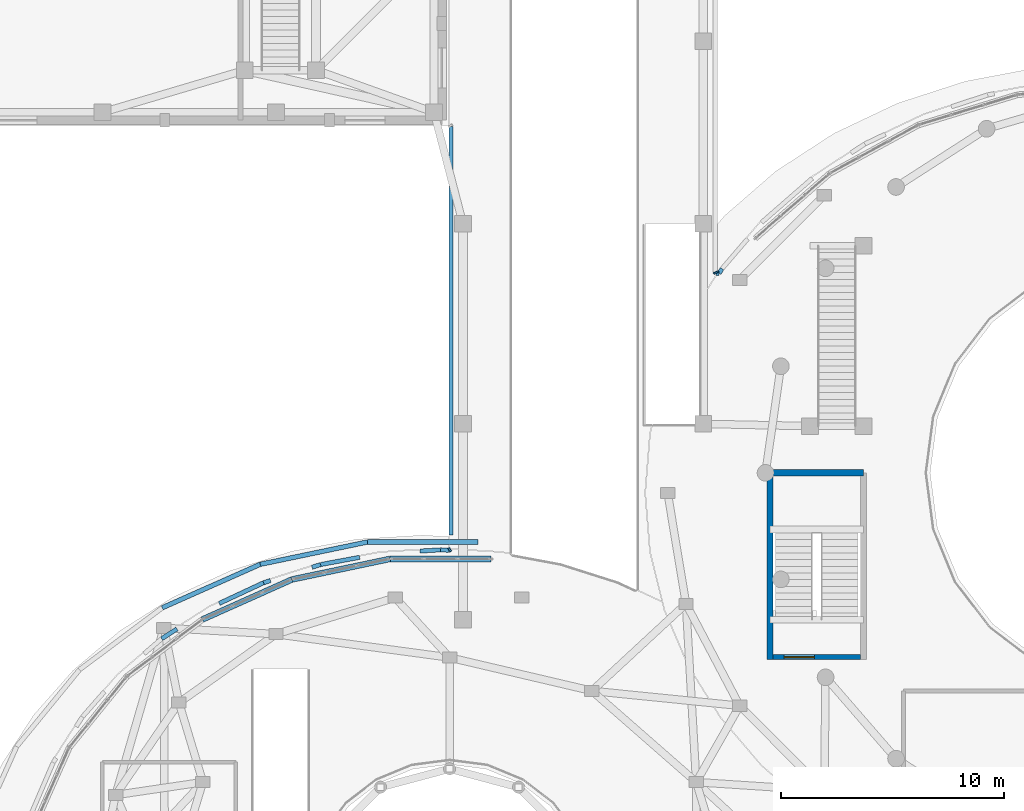
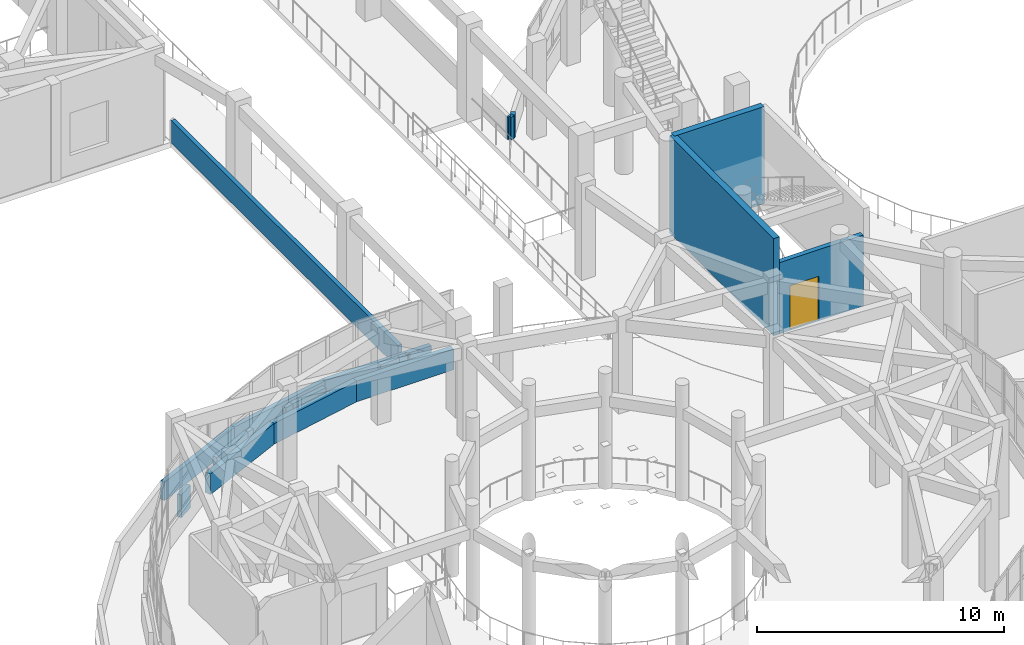
# One storey, part 71 of 98: 21 walls, 1 door, 1 opening.
"""IFC4 building model written with IfcOpenShell, lengths in metres."""

import ifcopenshell
import ifcopenshell.guid

model = None  # the IFC model being written
_history = None  # IfcOwnerHistory: only IFC2X3 demands one
_inside = {}  # id of a spatial element -> (the spatial element, [elements in it])
_under = {}  # id of a project, library or spatial element -> (it, [spatial elements below it])
_declared = {}  # id of a project -> (the project, [libraries it declares])
_typed = {}  # id of a type object -> (the type object, [elements of that type])
_made_of = {}  # id of a material, layer set ... -> (it, [elements and type objects made of it])


def new_model(schema):
    """Start an empty IFC model of exactly this schema.

    Asked for "IFC4X3", IfcOpenShell would pick the latest addendum, in which some entities
    have other attributes; the version numbers below select the first issue.
    IFC2X3 requires an IfcOwnerHistory on every rooted entity: one is made here for all.
    """
    global model, _history
    if schema == "IFC4X3":
        model = ifcopenshell.file(schema_version=(4, 3, 0, 0))
    else:
        model = ifcopenshell.file(schema=schema)
    _inside.clear()
    _under.clear()
    _declared.clear()
    _typed.clear()
    _made_of.clear()
    _history = None
    if model.schema == "IFC2X3":
        org = make("IfcOrganization", Name="unknown")
        user = make(
            "IfcPersonAndOrganization",
            ThePerson=make("IfcPerson", FamilyName="unknown"),
            TheOrganization=org,
        )
        app = make(
            "IfcApplication",
            ApplicationDeveloper=org,
            Version="unknown",
            ApplicationFullName="unknown",
            ApplicationIdentifier="unknown",
        )
        _history = make(
            "IfcOwnerHistory",
            OwningUser=user,
            OwningApplication=app,
            ChangeAction="ADDED",
            CreationDate=0,
        )
    return model


def make(cls, **values):
    """One entity of the class cls with the attributes given. An attribute that is None is left unset."""
    return model.create_entity(
        cls, **{name: value for name, value in values.items() if value is not None}
    )


def rooted(cls, **values):
    """An entity with a GlobalId (a new one), such as an element, a storey or a relation."""
    return make(cls, GlobalId=ifcopenshell.guid.new(), OwnerHistory=_history, **values)


def si_unit(unit_type, name, prefix=None):
    """IfcSIUnit, for example si_unit("LENGTHUNIT", "METRE", prefix="MILLI")."""
    return make("IfcSIUnit", UnitType=unit_type, Prefix=prefix, Name=name)


def assignment(units):
    """IfcUnitAssignment: the units of a project."""
    return None if units is None else make("IfcUnitAssignment", Units=units)


def point(xyz):
    """IfcCartesianPoint."""
    return None if xyz is None else make("IfcCartesianPoint", Coordinates=xyz)


def direction(xyz):
    """IfcDirection."""
    return None if xyz is None else make("IfcDirection", DirectionRatios=xyz)


def frame(location, z_axis=None, x_axis=None):
    """IfcAxis2Placement3D, a coordinate frame: its origin and axes. An axis left out is left unset."""
    return make(
        "IfcAxis2Placement3D",
        Location=point(location),
        Axis=direction(z_axis),
        RefDirection=direction(x_axis),
    )


def frame_2d(location, x_axis=None):
    """IfcAxis2Placement2D, a coordinate frame in the plane: its origin and x axis."""
    return make(
        "IfcAxis2Placement2D", Location=point(location), RefDirection=direction(x_axis)
    )


def origin():
    """The frame at (0, 0, 0) with its axes left unset."""
    return frame((0.0, 0.0, 0.0))


def place(relative_to, where):
    """IfcLocalPlacement: puts the frame where relative to a parent placement (None: the world)."""
    return make(
        "IfcLocalPlacement", PlacementRelTo=relative_to, RelativePlacement=where
    )


def context(
    kind, dimensions, precision=None, world=None, true_north=None, identifier=None
):
    """IfcGeometricRepresentationContext, for example the 3D "Model" context."""
    return make(
        "IfcGeometricRepresentationContext",
        ContextIdentifier=identifier,
        ContextType=kind,
        CoordinateSpaceDimension=dimensions,
        Precision=precision,
        WorldCoordinateSystem=world,
        TrueNorth=true_north,
    )


def subcontext(parent, identifier, kind, view, scale=None):
    """IfcGeometricRepresentationSubContext, for example "Body" below "Model"."""
    return make(
        "IfcGeometricRepresentationSubContext",
        ContextIdentifier=identifier,
        ContextType=kind,
        ParentContext=parent,
        TargetScale=scale,
        TargetView=view,
    )


def project(units=None, contexts=None):
    """IfcProject with its units and contexts."""
    return rooted(
        "IfcProject",
        Name="project",
        RepresentationContexts=contexts,
        UnitsInContext=assignment(units),
    )


def spatial(cls, under=None, at=None, **own):
    """A site, building, storey or space (cls), placed at a placement, below another one or the project."""
    s = rooted(cls, ObjectPlacement=at, **own)
    if under is not None:
        _under.setdefault(under.id(), (under, []))[1].append(s)
    return s


def profile(cls, at=None, kind="AREA", **sizes):
    """A parametric profile (cls). Its sizes go by their IFC names, for example OverallWidth=200.0."""
    return make(cls, ProfileType=kind, Position=at, **sizes)


def rectangle(**sizes):
    """IfcRectangleProfileDef."""
    return profile("IfcRectangleProfileDef", **sizes)


def extrude(swept, where, along, depth):
    """IfcExtrudedAreaSolid: the profile swept, set in the frame where, extruded along a direction by depth."""
    return make(
        "IfcExtrudedAreaSolid",
        SweptArea=swept,
        Position=where,
        ExtrudedDirection=direction(along),
        Depth=depth,
    )


def shape(context_of_items, identifier, shape_type, items):
    """IfcShapeRepresentation: the items that make up one representation, for example the "Body"."""
    return make(
        "IfcShapeRepresentation",
        ContextOfItems=context_of_items,
        RepresentationIdentifier=identifier,
        RepresentationType=shape_type,
        Items=items,
    )


def material(Name=None, Category=None):
    """IfcMaterial."""
    return make("IfcMaterial", Name=Name, Category=Category)


def layer(
    of_material, thickness, ventilated=None, Name=None, Category=None, Priority=None
):
    """IfcMaterialLayer: one layer of a wall or slab, of a material (None: an air gap)."""
    return make(
        "IfcMaterialLayer",
        Material=of_material,
        LayerThickness=thickness,
        IsVentilated=ventilated,
        Name=Name,
        Category=Category,
        Priority=Priority,
    )


def layer_set(layers, Name=None):
    """IfcMaterialLayerSet."""
    return make("IfcMaterialLayerSet", MaterialLayers=layers, LayerSetName=Name)


def made_of(thing, what):
    """Note that an element or type object is made of a material, layer set ...; save() writes the relation."""
    if what is not None:
        _made_of.setdefault(what.id(), (what, []))[1].append(thing)
    return thing


def type_object(cls, material=None, **own):
    """A type object (cls), such as IfcWallType, which elements share."""
    return made_of(rooted(cls, **own), material)


def element(
    cls,
    number,
    at=None,
    inside=None,
    cuts=None,
    type_object=None,
    material=None,
    context=None,
    identifier="Body",
    shape_type=None,
    held_by="IfcProductDefinitionShape",
    body=None,
    shapes=None,
    **own,
):
    """One element of the class cls, such as IfcWall. Its Tag is "e" and its number.

    at: its placement. inside: the storey or other place that contains it. cuts: it is an
    opening in that element (IfcRelVoidsElement). A single representation is given by context,
    identifier, shape_type and body (its items); several are given by shapes. held_by: the class
    of the entity that holds the representations. save() writes the other relations.
    """
    e = rooted(cls, Tag="e%d" % number, ObjectPlacement=at, **own)
    if body is not None:
        shapes = [shape(context, identifier, shape_type, body)]
    if shapes is not None:
        e.Representation = make(held_by, Representations=shapes)
    if inside is not None:
        _inside.setdefault(inside.id(), (inside, []))[1].append(e)
    if cuts is not None:
        rooted(
            "IfcRelVoidsElement", RelatingBuildingElement=cuts, RelatedOpeningElement=e
        )
    if type_object is not None:
        _typed.setdefault(type_object.id(), (type_object, []))[1].append(e)
    return made_of(e, material)


def fill(opening, filler):
    """IfcRelFillsElement: the door or window that sits in an opening."""
    return rooted(
        "IfcRelFillsElement",
        RelatingOpeningElement=opening,
        RelatedBuildingElement=filler,
    )


def aggregate(whole, parts):
    """IfcRelAggregates: a whole, such as a stair, and the parts it consists of."""
    return rooted("IfcRelAggregates", RelatingObject=whole, RelatedObjects=parts)


def save(model, path):
    """Write the relations noted so far, then the file.

    IfcRelAggregates (storeys below a building ...), IfcRelContainedInSpatialStructure (elements
    in a storey), IfcRelDefinesByType, IfcRelAssociatesMaterial and IfcRelDeclares: one each for
    every whole, place, type object, material and project.
    """
    for whole, parts in _under.values():
        aggregate(whole, parts)
    for where, things in _inside.values():
        rooted(
            "IfcRelContainedInSpatialStructure",
            RelatedElements=things,
            RelatingStructure=where,
        )
    for kind, things in _typed.values():
        rooted("IfcRelDefinesByType", RelatedObjects=things, RelatingType=kind)
    for what, things in _made_of.values():
        rooted("IfcRelAssociatesMaterial", RelatedObjects=things, RelatingMaterial=what)
    for by, libraries in _declared.values():
        rooted("IfcRelDeclares", RelatingContext=by, RelatedDefinitions=libraries)
    model.write(path)


model = new_model("IFC4")

# Units and contexts
model_context = context("Model", 3, precision=1e-05, world=origin(), true_north=direction((0.0, 1.0)))
body_context = subcontext(model_context, "Body", "Model", "MODEL_VIEW")
ifc_project = project(units=[si_unit("LENGTHUNIT", "METRE"), si_unit("AREAUNIT", "SQUARE_METRE"), si_unit("VOLUMEUNIT", "CUBIC_METRE"), si_unit("PLANEANGLEUNIT", "RADIAN"), si_unit("MASSUNIT", "GRAM", prefix="KILO")], contexts=[model_context])

# Site, building, storey
site_placement = place(None, origin())
site = spatial("IfcSite", under=ifc_project, at=site_placement, CompositionType="ELEMENT")
building_placement = place(site_placement, origin())
building = spatial("IfcBuilding", under=site, at=building_placement, Name="Pelvatis Terrace Science Centre", CompositionType="ELEMENT")
storey_placement = place(building_placement, frame((0.0, 0.0, 5.39990234375)))
storey = spatial("IfcBuildingStorey", under=building, at=storey_placement, Name="L01", CompositionType="ELEMENT", Elevation=5.39990234375)

# Walls
ifc_material_1 = material(Name="White architectural precast concrete C40/50 spandrel", Category="concrete")
ifc_layer_1 = layer(ifc_material_1, 0.260009765625)
ifc_layer_set_1 = layer_set([ifc_layer_1], Name="White architectural precast concrete C40/50 spandrel")
wall_type_1 = type_object("IfcWallType", Name="WL-EXT-SPND-260", PredefinedType="SOLIDWALL", material=ifc_layer_set_1)
wall_1_placement = place(storey_placement, frame((48.672119140625, 50.73291015625, 0.0), z_axis=(0.0, 0.0, 1.0), x_axis=(-1.0, 0.0, 0.0)))
element("IfcWall", 1, at=wall_1_placement, inside=storey, type_object=wall_type_1, Name="V3 white spiral spandrel band 07 (L01)", PredefinedType="SOLIDWALL", context=body_context, shape_type="SweptSolid", body=[
    extrude(rectangle(XDim=4.544189453125, YDim=0.260009765625, at=frame_2d((2.27197265625, 0.0))), origin(), (0.0, 0.0, 1.0), 1.02001953125),
])
wall_2_placement = place(storey_placement, frame((44.1279296875, 50.73291015625, 0.0), z_axis=(0.0, 0.0, 1.0), x_axis=(-0.9786765816, -0.205407275012, 0.0)))
element("IfcWall", 2, at=wall_2_placement, inside=storey, type_object=wall_type_1, Name="V3 white spiral spandrel band 08 (L01)", PredefinedType="SOLIDWALL", context=body_context, shape_type="SweptSolid", body=[
    extrude(rectangle(XDim=4.50830078125, YDim=0.260009765625, at=frame_2d((2.254150390625, 0.0))), origin(), (0.0, 0.0, 1.0), 1.02001953125),
])
wall_3_placement = place(storey_placement, frame((39.7158203125, 49.806884765625, 0.0), z_axis=(0.0, 0.0, 1.0), x_axis=(-0.91299422414, -0.407972482757, 0.0)))
element("IfcWall", 3, at=wall_3_placement, inside=storey, type_object=wall_type_1, Name="V3 white spiral spandrel band 09 (L01)", PredefinedType="SOLIDWALL", context=body_context, shape_type="SweptSolid", body=[
    extrude(rectangle(XDim=4.407470703125, YDim=0.260009765625, at=frame_2d((2.20361328125, 0.0))), origin(), (0.0, 0.0, 1.0), 1.02001953125),
])

# Wall, opening, door
ifc_material_2 = material(Name="Concrete C35/45 stair enclosure wall", Category="concrete")
ifc_layer_2 = layer(ifc_material_2, 0.22509765625)
ifc_layer_set_2 = layer_set([ifc_layer_2], Name="Concrete C35/45 stair enclosure wall")
wall_type_2 = type_object("IfcWallType", Name="WL-INT-CORE-225", PredefinedType="PARTITIONING", material=ifc_layer_set_2)
wall_4_placement = place(storey_placement, frame((61.340087890625, 46.320068359375, 0.0), z_axis=(0.0, 0.0, 1.0), x_axis=(1.0, 0.0, 0.0)))
wall_4 = element("IfcWall", 4, at=wall_4_placement, inside=storey, type_object=wall_type_2, Name="Stair ST-05 shaft wall S (L01)", PredefinedType="PARTITIONING", context=body_context, shape_type="SweptSolid", body=[
    extrude(rectangle(XDim=3.919921875, YDim=0.22509765625, at=frame_2d((1.9599609375, 0.0))), origin(), (0.0, 0.0, 1.0), 3.510009765625),
])
opening_placement = place(wall_4_placement, frame((0.5, 0.0, 0.0)))
opening = element("IfcOpeningElement", 5, at=opening_placement, cuts=wall_4, Name="Opening D-152", PredefinedType="OPENING", context=body_context, shape_type="SweptSolid", body=[
    extrude(rectangle(XDim=1.35009765625, YDim=2.199951171875, at=frame_2d((0.675048828125, 1.10009765625))), frame((0.0, 0.12255859375, 0.0), z_axis=(0.0, -1.0, 0.0), x_axis=(1.0, 0.0, 0.0)), (0.0, 0.0, 1.0), 0.2451171875),
])
ifc_material_3 = material(Name="Steel fire-rated protected stair door", Category="steel")
door_type = type_object("IfcDoorType", Name="DR-STAIR-1350x2200", OperationType="NOTDEFINED", PredefinedType="DOOR", material=ifc_material_3)
door_placement = place(opening_placement, origin())
door = element("IfcDoor", 6, at=door_placement, inside=storey, type_object=door_type, Name="Stair ST-05 fire door (L01)", OperationType="SINGLE_SWING_RIGHT", OverallHeight=2.199951171875, OverallWidth=1.35009765625, PredefinedType="DOOR", context=body_context, shape_type="SweptSolid", body=[
    extrude(rectangle(XDim=1.35009765625, YDim=2.199951171875, at=frame_2d((0.675048828125, 1.10009765625))), frame((0.0, 0.02490234375, 0.0), z_axis=(0.0, -1.0, 0.0), x_axis=(1.0, 0.0, 0.0)), (0.0, 0.0, 1.0), 0.050048828125),
])
fill(opening, door)

# Walls
ifc_material_4 = material(Name="White architectural precast concrete C40/50 spandrel parapet", Category="concrete")
ifc_layer_3 = layer(ifc_material_4, 0.18994140625)
ifc_layer_set_3 = layer_set([ifc_layer_3], Name="White architectural precast concrete C40/50 spandrel parapet")
wall_type_3 = type_object("IfcWallType", Name="WL-PAR-190", PredefinedType="PARAPET", material=ifc_layer_set_3)
wall_5_placement = place(storey_placement, frame((58.739990234375, 63.6337890625, 0.0), z_axis=(0.0, 0.0, 1.0), x_axis=(0.402738614266, -0.915315032423, 0.0)))
element("IfcWall", 7, at=wall_5_placement, inside=storey, type_object=wall_type_3, Name="Perimeter edge closure parapet PW-EDG-L01-101", PredefinedType="PARAPET", context=body_context, shape_type="SweptSolid", body=[
    extrude(rectangle(XDim=0.080078125, YDim=0.18994140625, at=frame_2d((0.0400390625, 0.0))), origin(), (0.0, 0.0, 1.0), 1.1201171875),
])
wall_6_placement = place(storey_placement, frame((58.772216796875, 63.560546875, 0.0), z_axis=(0.0, 0.0, 1.0), x_axis=(0.998852606429, 0.047890193459, 0.0)))
element("IfcWall", 8, at=wall_6_placement, inside=storey, type_object=wall_type_3, Name="Perimeter edge closure parapet PW-EDG-L01-102", PredefinedType="PARAPET", context=body_context, shape_type="SweptSolid", body=[
    extrude(rectangle(XDim=0.142822265625, YDim=0.18994140625, at=frame_2d((0.0712890625, 0.0))), origin(), (0.0, 0.0, 1.0), 1.1201171875),
])
wall_7_placement = place(storey_placement, frame((58.914794921875, 63.5673828125, 0.0), z_axis=(0.0, 0.0, 1.0), x_axis=(0.534292989295, 0.845299356199, 0.0)))
element("IfcWall", 9, at=wall_7_placement, inside=storey, type_object=wall_type_3, Name="Perimeter edge closure parapet PW-EDG-L01-103", PredefinedType="PARAPET", context=body_context, shape_type="SweptSolid", body=[
    extrude(rectangle(XDim=0.244873046875, YDim=0.18994140625, at=frame_2d((0.12255859375, 0.0))), origin(), (0.0, 0.0, 1.0), 1.1201171875),
])
wall_8_placement = place(storey_placement, frame((33.862548828125, 47.14599609375, 0.0), z_axis=(0.0, 0.0, 1.0), x_axis=(0.842522148763, 0.538661701668, 0.0)))
element("IfcWall", 10, at=wall_8_placement, inside=storey, type_object=wall_type_3, Name="Perimeter edge closure parapet PW-EDG-L01-229", PredefinedType="PARAPET", context=body_context, shape_type="SweptSolid", body=[
    extrude(rectangle(XDim=0.81298828125, YDim=0.18994140625, at=frame_2d((0.406494140625, 0.0))), origin(), (0.0, 0.0, 1.0), 1.1201171875),
])
wall_9_placement = place(storey_placement, frame((36.44482421875, 48.728759765625, 0.0), z_axis=(0.0, 0.0, 1.0), x_axis=(0.906259396673, 0.422722019703, 0.0)))
element("IfcWall", 11, at=wall_9_placement, inside=storey, type_object=wall_type_3, Name="Perimeter edge closure parapet PW-EDG-L01-230", PredefinedType="PARAPET", context=body_context, shape_type="SweptSolid", body=[
    extrude(rectangle(XDim=2.2080078125, YDim=0.18994140625, at=frame_2d((1.10400390625, 0.0))), origin(), (0.0, 0.0, 1.0), 1.1201171875),
])
wall_10_placement = place(storey_placement, frame((38.44580078125, 49.662109375, 0.0), z_axis=(0.0, 0.0, 1.0), x_axis=(0.952945834397, 0.303140622, 0.0)))
element("IfcWall", 12, at=wall_10_placement, inside=storey, type_object=wall_type_3, Name="Perimeter edge closure parapet PW-EDG-L01-231", PredefinedType="PARAPET", context=body_context, shape_type="SweptSolid", body=[
    extrude(rectangle(XDim=0.31982421875, YDim=0.18994140625, at=frame_2d((0.159912109375, 0.0))), origin(), (0.0, 0.0, 1.0), 1.1201171875),
])
wall_11_placement = place(storey_placement, frame((40.617919921875, 50.35400390625, 0.0), z_axis=(0.0, 0.0, 1.0), x_axis=(0.952917893825, 0.303228441324, 0.0)))
element("IfcWall", 13, at=wall_11_placement, inside=storey, type_object=wall_type_3, Name="Perimeter edge closure parapet PW-EDG-L01-232", PredefinedType="PARAPET", context=body_context, shape_type="SweptSolid", body=[
    extrude(rectangle(XDim=0.406494140625, YDim=0.18994140625, at=frame_2d((0.203125, 0.0))), origin(), (0.0, 0.0, 1.0), 1.1201171875),
])
wall_12_placement = place(storey_placement, frame((41.00537109375, 50.477294921875, 0.0), z_axis=(0.0, 0.0, 1.0), x_axis=(0.983169031577, 0.182698263122, 0.0)))
element("IfcWall", 14, at=wall_12_placement, inside=storey, type_object=wall_type_3, Name="Perimeter edge closure parapet PW-EDG-L01-233", PredefinedType="PARAPET", context=body_context, shape_type="SweptSolid", body=[
    extrude(rectangle(XDim=1.780029296875, YDim=0.18994140625, at=frame_2d((0.89013671875, 0.0))), origin(), (0.0, 0.0, 1.0), 1.1201171875),
])
wall_13_placement = place(storey_placement, frame((45.46875, 51.0830078125, 0.0), z_axis=(0.0, 0.0, 1.0), x_axis=(0.998139169017, 0.060977038904, 0.0)))
element("IfcWall", 15, at=wall_13_placement, inside=storey, type_object=wall_type_3, Name="Perimeter edge closure parapet PW-EDG-L01-234", PredefinedType="PARAPET", context=body_context, shape_type="SweptSolid", body=[
    extrude(rectangle(XDim=0.932861328125, YDim=0.18994140625, at=frame_2d((0.46630859375, 0.0))), origin(), (0.0, 0.0, 1.0), 1.1201171875),
])
wall_14_placement = place(storey_placement, frame((46.39990234375, 51.139892578125, 0.0), z_axis=(0.0, 0.0, 1.0), x_axis=(0.998285821047, -0.058527083446, 0.0)))
element("IfcWall", 16, at=wall_14_placement, inside=storey, type_object=wall_type_3, Name="Perimeter edge closure parapet PW-EDG-L01-235", PredefinedType="PARAPET", context=body_context, shape_type="SweptSolid", body=[
    extrude(rectangle(XDim=0.3671875, YDim=0.18994140625, at=frame_2d((0.18359375, 0.0))), origin(), (0.0, 0.0, 1.0), 1.1201171875),
])
wall_15_placement = place(storey_placement, frame((46.766357421875, 51.118408203125, 0.0), z_axis=(0.0, 0.0, 1.0), x_axis=(0.843141368085, 0.537691950306, 0.0)))
element("IfcWall", 17, at=wall_15_placement, inside=storey, type_object=wall_type_3, Name="Perimeter edge closure parapet PW-EDG-L01-236", PredefinedType="PARAPET", context=body_context, shape_type="SweptSolid", body=[
    extrude(rectangle(XDim=0.0966796875, YDim=0.18994140625, at=frame_2d((0.04833984375, 0.0))), origin(), (0.0, 0.0, 1.0), 1.1201171875),
])
wall_16_placement = place(storey_placement, frame((46.860107421875, 51.8154296875, 0.0), z_axis=(0.0, 0.0, 1.0), x_axis=(0.0, 1.0, 0.0)))
element("IfcWall", 18, at=wall_16_placement, inside=storey, type_object=wall_type_3, Name="Perimeter edge closure parapet PW-EDG-L01-237", PredefinedType="PARAPET", context=body_context, shape_type="SweptSolid", body=[
    extrude(rectangle(XDim=18.344482421875, YDim=0.18994140625, at=frame_2d((9.17236328125, 0.0))), origin(), (0.0, 0.0, 1.0), 1.1201171875),
])
ifc_material_5 = material(Name="White architectural precast concrete C40/50 spandrel parapet", Category="concrete")
ifc_layer_4 = layer(ifc_material_5, 0.205078125)
ifc_layer_set_4 = layer_set([ifc_layer_4], Name="White architectural precast concrete C40/50 spandrel parapet")
wall_type_4 = type_object("IfcWallType", Name="WL-PAR-205", PredefinedType="PARAPET", material=ifc_layer_set_4)
wall_17_placement = place(storey_placement, frame((48.08544921875, 51.492919921875, 0.0), z_axis=(0.0, 0.0, 1.0), x_axis=(-1.0, 0.0, 0.0)))
element("IfcWall", 19, at=wall_17_placement, inside=storey, type_object=wall_type_4, Name="White spiral ring parapet PW-CRV-L01-116", PredefinedType="PARAPET", context=body_context, shape_type="SweptSolid", body=[
    extrude(rectangle(XDim=4.970947265625, YDim=0.205078125, at=frame_2d((2.4853515625, 0.0))), origin(), (0.0, 0.0, 1.0), 0.920166015625),
])
wall_18_placement = place(storey_placement, frame((43.114501953125, 51.492919921875, 0.0), z_axis=(0.0, 0.0, 1.0), x_axis=(-0.979005544234, -0.203833619306, 0.0)))
element("IfcWall", 20, at=wall_18_placement, inside=storey, type_object=wall_type_4, Name="White spiral ring parapet PW-CRV-L01-117", PredefinedType="PARAPET", context=body_context, shape_type="SweptSolid", body=[
    extrude(rectangle(XDim=4.929931640625, YDim=0.205078125, at=frame_2d((2.46484375, 0.0))), origin(), (0.0, 0.0, 1.0), 0.920166015625),
])
wall_19_placement = place(storey_placement, frame((38.2880859375, 50.488037109375, 0.0), z_axis=(0.0, 0.0, 1.0), x_axis=(-0.914166658775, -0.405338525167, 0.0)))
element("IfcWall", 21, at=wall_19_placement, inside=storey, type_object=wall_type_4, Name="White spiral ring parapet PW-CRV-L01-118", PredefinedType="PARAPET", context=body_context, shape_type="SweptSolid", body=[
    extrude(rectangle(XDim=4.81494140625, YDim=0.205078125, at=frame_2d((2.407470703125, 0.0))), origin(), (0.0, 0.0, 1.0), 0.920166015625),
])
ifc_material_6 = material(Name="Concrete C40/50", Category="concrete")
ifc_layer_5 = layer(ifc_material_6, 0.280029296875)
ifc_layer_set_5 = layer_set([ifc_layer_5], Name="Concrete C40/50")
wall_type_5 = type_object("IfcWallType", Name="WL-SHR-280", PredefinedType="SHEAR", material=ifc_layer_set_5)
wall_20_placement = place(storey_placement, frame((61.199951171875, 54.60009765625, 0.0), z_axis=(0.0, 0.0, 1.0), x_axis=(1.0, 0.0, 0.0)))
element("IfcWall", 22, at=wall_20_placement, inside=storey, type_object=wall_type_5, Name="Stair ST-05 structural wall N (L01)", PredefinedType="SHEAR", context=body_context, shape_type="SweptSolid", body=[
    extrude(rectangle(XDim=4.199951171875, YDim=0.280029296875, at=frame_2d((2.10009765625, 0.0))), origin(), (0.0, 0.0, 1.0), 4.800048828125),
])
wall_21_placement = place(storey_placement, frame((61.199951171875, 46.199951171875, 0.0), z_axis=(0.0, 0.0, 1.0), x_axis=(0.0, 1.0, 0.0)))
element("IfcWall", 23, at=wall_21_placement, inside=storey, type_object=wall_type_5, Name="Stair ST-05 structural wall W (L01)", PredefinedType="SHEAR", context=body_context, shape_type="SweptSolid", body=[
    extrude(rectangle(XDim=8.400146484375, YDim=0.280029296875, at=frame_2d((4.2001953125, 0.0))), origin(), (0.0, 0.0, 1.0), 4.800048828125),
])

save(model, "model.ifc")
